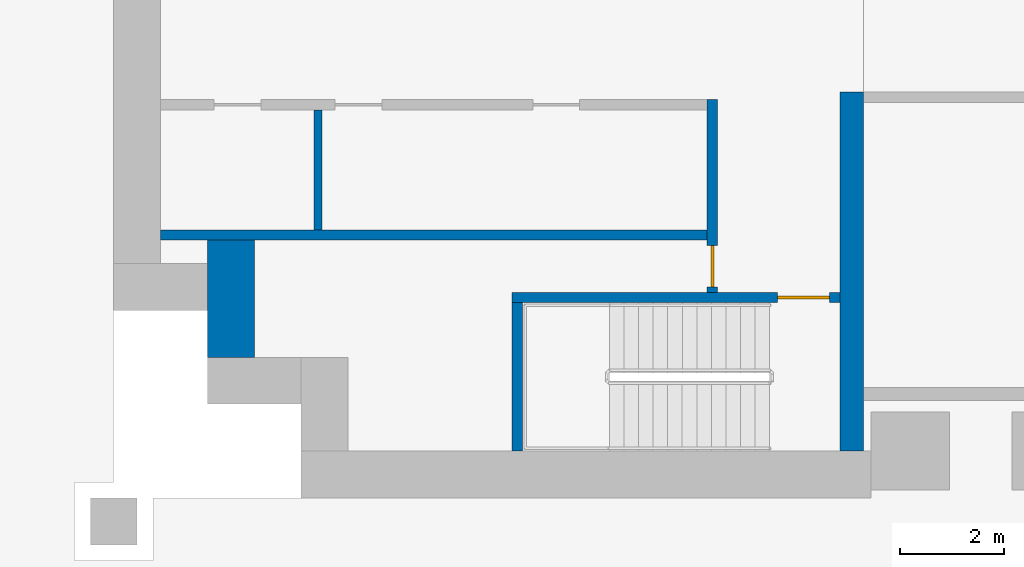
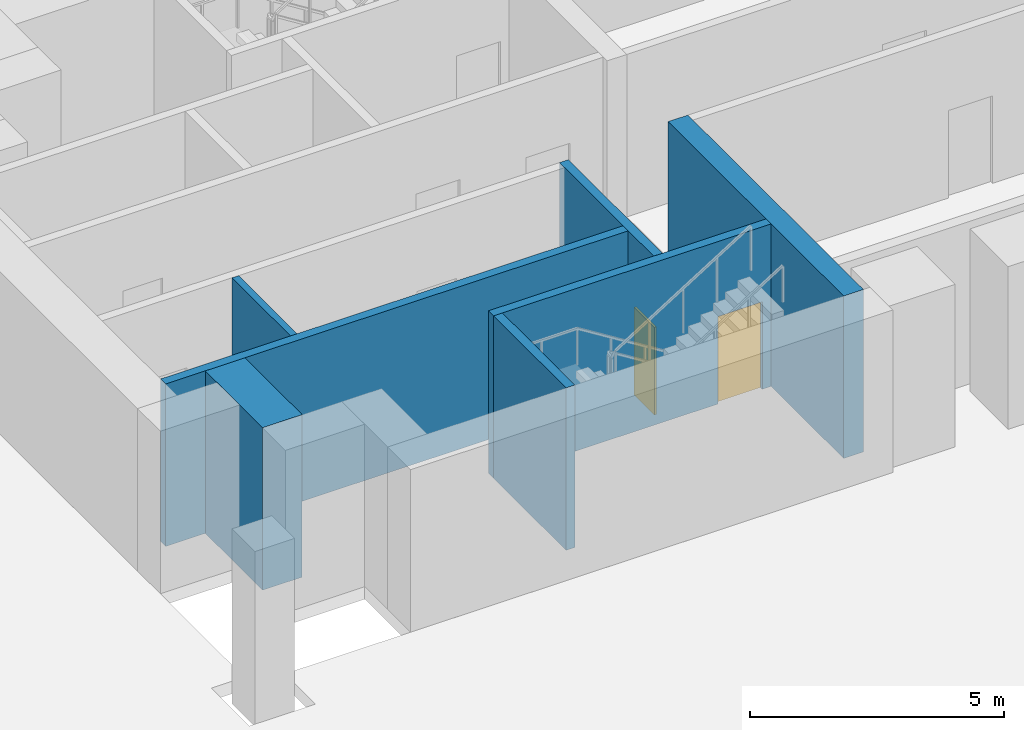
# One storey, part 2 of 8: 7 walls, 2 doors, 2 openings.
"""IFC4 building model written with IfcOpenShell, lengths in metres."""

from ifc_helpers import new_model, si_unit, direction, frame, frame_2d, origin, place, context, subcontext, project, spatial, rectangle, extrude, material, layer, layer_set, type_object, element, fill, save


model = new_model("IFC4")

# Units and contexts
model_context = context("Model", 3, precision=1e-05, world=origin(), true_north=direction((0.0, 1.0)))
body_context = subcontext(model_context, "Body", "Model", "MODEL_VIEW")
ifc_project = project(units=[si_unit("LENGTHUNIT", "METRE"), si_unit("AREAUNIT", "SQUARE_METRE"), si_unit("VOLUMEUNIT", "CUBIC_METRE"), si_unit("PLANEANGLEUNIT", "RADIAN"), si_unit("MASSUNIT", "GRAM", prefix="KILO")], contexts=[model_context])

# Site, building, storey
site_placement = place(None, origin())
site = spatial("IfcSite", under=ifc_project, at=site_placement, CompositionType="ELEMENT")
building_placement = place(site_placement, origin())
building = spatial("IfcBuilding", under=site, at=building_placement, Name="Perihelion Cross Residences", CompositionType="ELEMENT")
storey_placement = place(building_placement, frame((0.0, 0.0, -8.699951171875)))
storey = spatial("IfcBuildingStorey", under=building, at=storey_placement, Name="B2", CompositionType="ELEMENT", Elevation=-8.699951171875)

# Walls
ifc_material_1 = material(Name="Concrete C60/75", Category="concrete")
ifc_layer_1 = layer(ifc_material_1, 0.449951171875)
ifc_layer_set_1 = layer_set([ifc_layer_1], Name="Core wall, inner 450")
wall_type_1 = type_object("IfcWallType", Name="Core wall, inner 450", PredefinedType="SHEAR", material=ifc_layer_set_1)
wall_1_placement = place(storey_placement, frame((-21.824951171875, -8.10009765625, 0.0), z_axis=(0.0, 0.0, 1.0), x_axis=(0.0, 1.0, 0.0)))
element("IfcWall", 1, at=wall_1_placement, inside=storey, type_object=wall_type_1, Name="West core core wall, inner", PredefinedType="SHEAR", context=body_context, shape_type="SweptSolid", body=[
    extrude(rectangle(XDim=6.900146484375, YDim=0.449951171875, at=frame_2d((3.4501953125, 0.0))), origin(), (0.0, 0.0, 1.0), 3.89990234375),
])
ifc_material_2 = material(Name="Concrete C60/75", Category="concrete")
ifc_layer_2 = layer(ifc_material_2, 0.89990234375)
ifc_layer_set_2 = layer_set([ifc_layer_2], Name="Core wall, outer 900")
wall_type_2 = type_object("IfcWallType", Name="Core wall, outer 900", PredefinedType="SHEAR", material=ifc_layer_set_2)
wall_2_placement = place(storey_placement, frame((-33.75, -6.300048828125, 0.0), z_axis=(0.0, 0.0, 1.0), x_axis=(0.0, 1.0, 0.0)))
element("IfcWall", 2, at=wall_2_placement, inside=storey, type_object=wall_type_2, Name="West core core wall, outer", PredefinedType="SHEAR", context=body_context, shape_type="SweptSolid", body=[
    extrude(rectangle(XDim=2.25, YDim=0.89990234375, at=frame_2d((1.125, 0.0))), origin(), (0.0, 0.0, 1.0), 3.89990234375),
])

# Wall, opening, door
ifc_material_3 = material(Name="Concrete C50/60", Category="concrete")
ifc_layer_3 = layer(ifc_material_3, 0.199951171875)
ifc_layer_set_3 = layer_set([ifc_layer_3], Name="Lobby wall 200")
wall_type_3 = type_object("IfcWallType", Name="Lobby wall 200", PredefinedType="SOLIDWALL", material=ifc_layer_set_3)
wall_3_placement = place(storey_placement, frame((-24.5, -5.050048828125, 0.0), z_axis=(0.0, 0.0, 1.0), x_axis=(0.0, 1.0, 0.0)))
wall_3 = element("IfcWall", 3, at=wall_3_placement, inside=storey, type_object=wall_type_3, Name="West core lobby wall", PredefinedType="SOLIDWALL", context=body_context, shape_type="SweptSolid", body=[
    extrude(rectangle(XDim=3.699951171875, YDim=0.199951171875, at=frame_2d((1.85009765625, 0.0))), origin(), (0.0, 0.0, 1.0), 3.89990234375),
])
opening_1_placement = place(wall_3_placement, frame((0.10009765625, 0.0, 0.0)))
opening_1 = element("IfcOpeningElement", 4, at=opening_1_placement, cuts=wall_3, Name="Opening B2.C16", PredefinedType="OPENING", context=body_context, shape_type="SweptSolid", body=[
    extrude(rectangle(XDim=0.800048828125, YDim=2.10009765625, at=frame_2d((0.39990234375, 1.050048828125))), frame((0.0, 0.10986328125, 0.0), z_axis=(0.0, -1.0, 0.0), x_axis=(1.0, 0.0, 0.0)), (0.0, 0.0, 1.0), 0.219970703125),
])
ifc_material_4 = material(Name="Steel, powder coated", Category="steel")
door_type_1 = type_object("IfcDoorType", Name="Riser door 800", OperationType="SINGLE_SWING_LEFT", PredefinedType="DOOR", material=ifc_material_4)
door_1_placement = place(opening_1_placement, origin())
door_1 = element("IfcDoor", 5, at=door_1_placement, inside=storey, type_object=door_type_1, Name="West core riser door", OperationType="SINGLE_SWING_LEFT", OverallHeight=2.10009765625, OverallWidth=0.800048828125, PredefinedType="DOOR", context=body_context, shape_type="SweptSolid", body=[
    extrude(rectangle(XDim=0.800048828125, YDim=2.10009765625, at=frame_2d((0.39990234375, 1.050048828125))), frame((0.0, 0.02490234375, 0.0), z_axis=(0.0, -1.0, 0.0), x_axis=(1.0, 0.0, 0.0)), (0.0, 0.0, 1.0), 0.050048828125),
])
fill(opening_1, door_1)

# Walls
ifc_material_5 = material(Name="Fire-rated board on steel stud", Category="steel")
ifc_layer_4 = layer(ifc_material_5, 0.14990234375)
ifc_layer_set_4 = layer_set([ifc_layer_4], Name="Riser wall 150")
wall_type_4 = type_object("IfcWallType", Name="Riser wall 150", PredefinedType="PARTITIONING", material=ifc_layer_set_4)
wall_4_placement = place(storey_placement, frame((-32.074951171875, -3.85009765625, 0.0), z_axis=(0.0, 0.0, 1.0), x_axis=(0.0, 1.0, 0.0)))
element("IfcWall", 6, at=wall_4_placement, inside=storey, type_object=wall_type_4, Name="West core riser wall", PredefinedType="PARTITIONING", context=body_context, shape_type="SweptSolid", body=[
    extrude(rectangle(XDim=2.300048828125, YDim=0.14990234375, at=frame_2d((1.14990234375, 0.0))), origin(), (0.0, 0.0, 1.0), 3.89990234375),
])
ifc_material_6 = material(Name="Concrete C50/60", Category="concrete")
ifc_layer_5 = layer(ifc_material_6, 0.199951171875)
ifc_layer_set_5 = layer_set([ifc_layer_5], Name="Shaft wall 200")
wall_type_5 = type_object("IfcWallType", Name="Shaft wall 200", PredefinedType="SOLIDWALL", material=ifc_layer_set_5)
wall_5_placement = place(storey_placement, frame((-35.10009765625, -3.949951171875, 0.0), z_axis=(0.0, 0.0, 1.0), x_axis=(1.0, 0.0, 0.0)))
element("IfcWall", 7, at=wall_5_placement, inside=storey, type_object=wall_type_5, Name="West core shaft wall", PredefinedType="SOLIDWALL", context=body_context, shape_type="SweptSolid", body=[
    extrude(rectangle(XDim=10.5, YDim=0.199951171875, at=frame_2d((5.25, 0.0))), origin(), (0.0, 0.0, 1.0), 3.89990234375),
])

# Wall, opening, door
ifc_material_7 = material(Name="Concrete C50/60", Category="concrete")
ifc_layer_6 = layer(ifc_material_7, 0.199951171875)
ifc_layer_set_6 = layer_set([ifc_layer_6], Name="Stair wall 200")
wall_type_6 = type_object("IfcWallType", Name="Stair wall 200", PredefinedType="SOLIDWALL", material=ifc_layer_set_6)
wall_6_placement = place(storey_placement, frame((-28.35009765625, -5.14990234375, 0.0), z_axis=(0.0, 0.0, 1.0), x_axis=(1.0, 0.0, 0.0)))
wall_6 = element("IfcWall", 8, at=wall_6_placement, inside=storey, type_object=wall_type_6, Name="West core stair wall", PredefinedType="SOLIDWALL", context=body_context, shape_type="SweptSolid", body=[
    extrude(rectangle(XDim=6.300048828125, YDim=0.199951171875, at=frame_2d((3.14990234375, 0.0))), origin(), (0.0, 0.0, 1.0), 3.89990234375),
])
opening_2_placement = place(wall_6_placement, frame((5.10009765625, 0.0, 0.0)))
opening_2 = element("IfcOpeningElement", 9, at=opening_2_placement, cuts=wall_6, Name="Opening B2.C13", PredefinedType="OPENING", context=body_context, shape_type="SweptSolid", body=[
    extrude(rectangle(XDim=1.0, YDim=2.10009765625, at=frame_2d((0.5, 1.050048828125))), frame((0.0, 0.10986328125, 0.0), z_axis=(0.0, -1.0, 0.0), x_axis=(1.0, 0.0, 0.0)), (0.0, 0.0, 1.0), 0.219970703125),
])
ifc_material_8 = material(Name="Steel, powder coated", Category="steel")
door_type_2 = type_object("IfcDoorType", Name="Stair door 1000", OperationType="SINGLE_SWING_LEFT", PredefinedType="DOOR", material=ifc_material_8)
door_2_placement = place(opening_2_placement, origin())
door_2 = element("IfcDoor", 10, at=door_2_placement, inside=storey, type_object=door_type_2, Name="West core stair door", OperationType="SINGLE_SWING_LEFT", OverallHeight=2.10009765625, OverallWidth=1.0, PredefinedType="DOOR", context=body_context, shape_type="SweptSolid", body=[
    extrude(rectangle(XDim=1.0, YDim=2.10009765625, at=frame_2d((0.5, 1.050048828125))), frame((0.0, 0.02490234375, 0.0), z_axis=(0.0, -1.0, 0.0), x_axis=(1.0, 0.0, 0.0)), (0.0, 0.0, 1.0), 0.050048828125),
])
fill(opening_2, door_2)

# Wall
wall_7_placement = place(storey_placement, frame((-28.25, -8.10009765625, 0.0), z_axis=(0.0, 0.0, 1.0), x_axis=(0.0, 1.0, 0.0)))
element("IfcWall", 11, at=wall_7_placement, inside=storey, type_object=wall_type_6, Name="West core stair wall", PredefinedType="SOLIDWALL", context=body_context, shape_type="SweptSolid", body=[
    extrude(rectangle(XDim=2.85009765625, YDim=0.199951171875, at=frame_2d((1.425048828125, 0.0))), origin(), (0.0, 0.0, 1.0), 3.89990234375),
])

save(model, "model.ifc")
